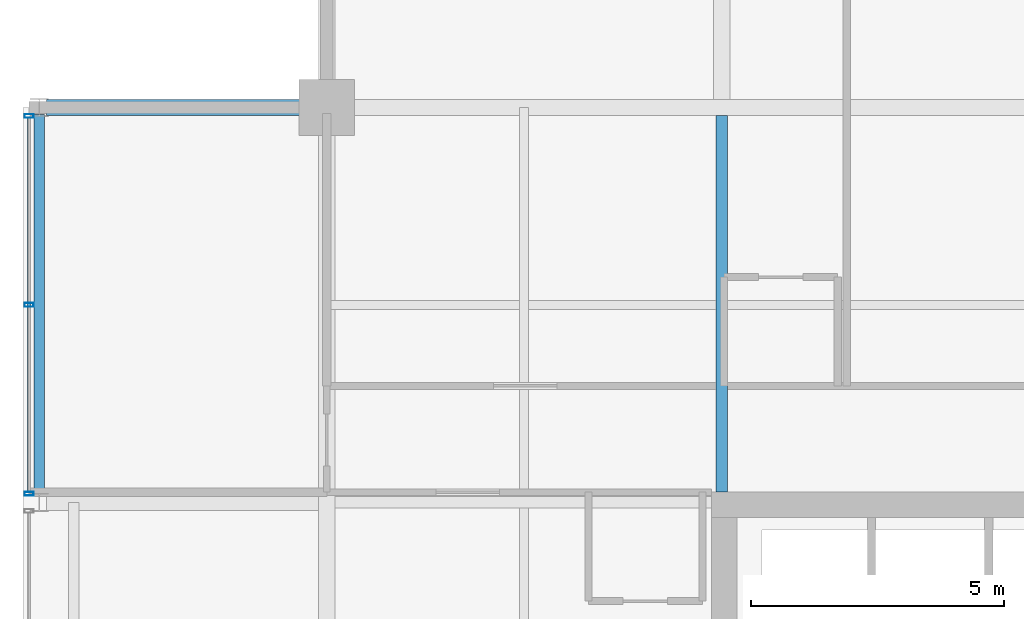
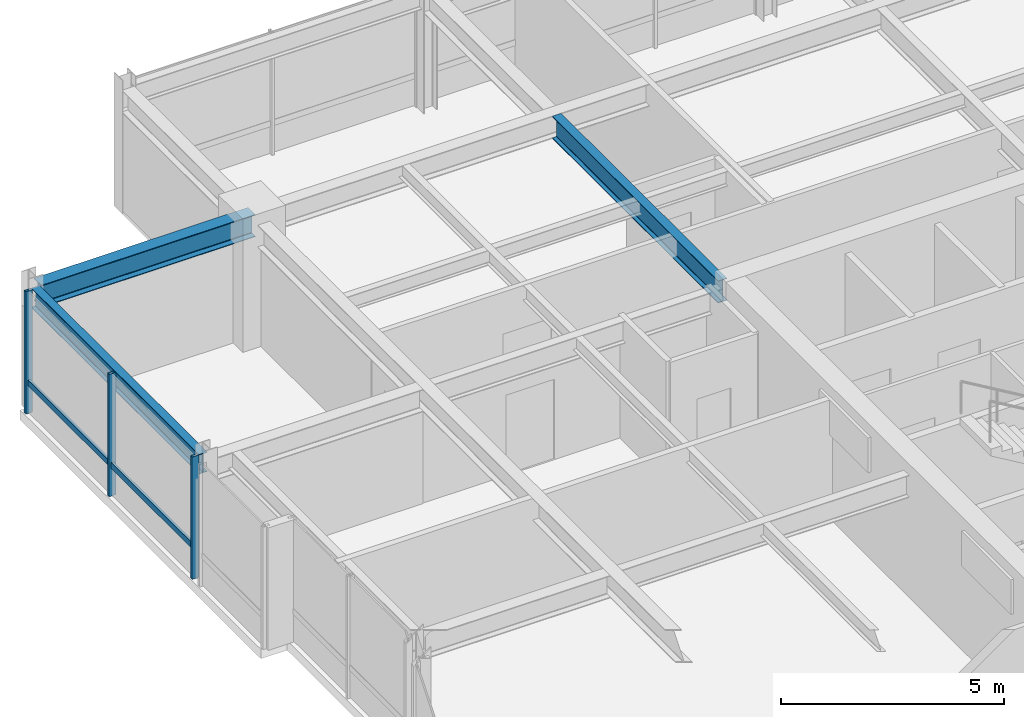
# One storey, part 20 of 34: 4 members, 3 beams, 1 element without a shape of its own.
"""IFC4 building model written with IfcOpenShell, lengths in metres."""

from ifc_helpers import new_model, si_unit, direction, frame, origin, origin_2d, place, context, subcontext, project, spatial, hollow_rectangle, i_section, extrude, material, layer, layer_set, material_profile, profile_set, type_object, element, aggregate, save


model = new_model("IFC4")

# Units and contexts
model_context = context("Model", 3, precision=1e-05, world=origin(), true_north=direction((0.0, 1.0)))
body_context = subcontext(model_context, "Body", "Model", "MODEL_VIEW")
ifc_project = project(units=[si_unit("LENGTHUNIT", "METRE"), si_unit("AREAUNIT", "SQUARE_METRE"), si_unit("VOLUMEUNIT", "CUBIC_METRE"), si_unit("PLANEANGLEUNIT", "RADIAN"), si_unit("MASSUNIT", "GRAM", prefix="KILO")], contexts=[model_context])

# Site, building, storey
site_placement = place(None, origin())
site = spatial("IfcSite", under=ifc_project, at=site_placement, CompositionType="ELEMENT")
building_placement = place(site_placement, origin())
building = spatial("IfcBuilding", under=site, at=building_placement, Name="Drelvath Grand Hotel", CompositionType="ELEMENT")
storey_placement = place(building_placement, frame((0.0, 0.0, 290.550048828125)))
storey = spatial("IfcBuildingStorey", under=building, at=storey_placement, Name="L76", CompositionType="ELEMENT", Elevation=290.550048828125)

# Curtain wall, members
ifc_material_1 = material(Name="Platinum-Mist Anodised Aluminium Frame", Category="aluminium")
ifc_layer = layer(ifc_material_1, 0.199951171875)
ifc_layer_set = layer_set([ifc_layer], Name="Platinum-Mist Anodised Aluminium Frame")
curtain_wall_type = type_object("IfcCurtainWallType", Name="Stick Curtain Wall CW-05 Platinum Mist High-Rise", PredefinedType="NOTDEFINED", material=ifc_layer_set)
curtain_wall_placement = place(storey_placement, origin())
curtain_wall = element("IfcCurtainWall", 1, at=curtain_wall_placement, inside=storey, type_object=curtain_wall_type, Name="L76 CW-05 Curtain Wall CW05-L76-WN2", PredefinedType="NOTDEFINED")
ifc_material_profile_1 = material_profile(ifc_material_1, hollow_rectangle(XDim=0.06494140625, YDim=0.159912109375, WallThickness=0.00390625, at=origin_2d()), Name="HSS160X65X4")
ifc_profile_set_1 = profile_set([ifc_material_profile_1], Name="Platinum-Mist Anodised Aluminium Frame")
member_type_1 = type_object("IfcMemberType", Name="Curtain Wall Horizontal Transom CW-05 HSS160X65X4", PredefinedType="USERDEFINED", material=ifc_profile_set_1)
member_1_placement = place(storey_placement, frame((-22.080078125, 35.610107421875, 0.83740234375), z_axis=(0.0, 1.0, 0.0), x_axis=(-1.0, 0.0, 0.0)))
member_1 = element("IfcMember", 2, at=member_1_placement, type_object=member_type_1, Name="CW05-L76-WN2 Sill Transom", ObjectType="TRANSOM", PredefinedType="USERDEFINED", context=body_context, shape_type="SweptSolid", body=[
    extrude(hollow_rectangle(XDim=0.06494140625, YDim=0.159912109375, WallThickness=0.00390625, at=origin_2d()), origin(), (0.0, 0.0, 1.0), 7.3798828125),
])
ifc_material_profile_2 = material_profile(ifc_material_1, hollow_rectangle(XDim=0.074951171875, YDim=0.179931640625, WallThickness=0.0048828125, at=origin_2d()), Name="HSS180X75X5")
ifc_profile_set_2 = profile_set([ifc_material_profile_2], Name="Platinum-Mist Anodised Aluminium Frame")
member_type_2 = type_object("IfcMemberType", Name="Curtain Wall Vertical Mullion CW-05 HSS180X75X5", PredefinedType="MULLION", material=ifc_profile_set_2)
member_2_placement = place(storey_placement, frame((-22.080078125, 35.570068359375, 0.0), z_axis=(0.0, 0.0, 1.0), x_axis=(0.0, 1.0, 0.0)))
member_2 = element("IfcMember", 3, at=member_2_placement, type_object=member_type_2, Name="CW05-L76-WN2 Mullion 1", PredefinedType="MULLION", context=body_context, shape_type="SweptSolid", body=[
    extrude(hollow_rectangle(XDim=0.074951171875, YDim=0.179931640625, WallThickness=0.0048828125, at=origin_2d()), origin(), (0.0, 0.0, 1.0), 3.349853515625),
])
member_3_placement = place(storey_placement, frame((-22.080078125, 39.300048828125, 0.0), z_axis=(0.0, 0.0, 1.0), x_axis=(0.0, 1.0, 0.0)))
member_3 = element("IfcMember", 4, at=member_3_placement, type_object=member_type_2, Name="CW05-L76-WN2 Mullion 2", PredefinedType="MULLION", context=body_context, shape_type="SweptSolid", body=[
    extrude(hollow_rectangle(XDim=0.074951171875, YDim=0.179931640625, WallThickness=0.0048828125, at=origin_2d()), origin(), (0.0, 0.0, 1.0), 3.349853515625),
])
member_4_placement = place(storey_placement, frame((-22.080078125, 43.030029296875, 0.0), z_axis=(0.0, 0.0, 1.0), x_axis=(0.0, 1.0, 0.0)))
member_4 = element("IfcMember", 5, at=member_4_placement, type_object=member_type_2, Name="CW05-L76-WN2 Mullion 3", PredefinedType="MULLION", context=body_context, shape_type="SweptSolid", body=[
    extrude(hollow_rectangle(XDim=0.074951171875, YDim=0.179931640625, WallThickness=0.0048828125, at=origin_2d()), origin(), (0.0, 0.0, 1.0), 3.349853515625),
])
aggregate(curtain_wall, [member_2, member_3, member_4, member_1])

# Beams
ifc_material_2 = material(Name="Steel ASTM A992 Gr 50", Category="steel")
ifc_material_profile_3 = material_profile(ifc_material_2, i_section(OverallWidth=0.210205078125, OverallDepth=0.53662109375, WebThickness=0.010986328125, FlangeThickness=0.017333984375, FilletRadius=0.01806640625, at=origin_2d()), Name="W21X68")
ifc_profile_set_3 = profile_set([ifc_material_profile_3], Name="Steel ASTM A992 Gr 50")
beam_type_1 = type_object("IfcBeamType", Name="Perimeter Spandrel Beam W21X68", PredefinedType="SPANDREL", material=ifc_profile_set_3)
beam_1_placement = place(storey_placement, frame((-21.8798828125, 35.5400390625, 3.08154296875), z_axis=(0.0, 1.0, 0.0), x_axis=(-1.0, 0.0, 0.0)))
element("IfcBeam", 6, at=beam_1_placement, inside=storey, type_object=beam_type_1, Name="L76 Spandrel West N", PredefinedType="SPANDREL", context=body_context, shape_type="SweptSolid", body=[
    extrude(i_section(OverallWidth=0.210205078125, OverallDepth=0.53662109375, WebThickness=0.010986328125, FlangeThickness=0.017333984375, FilletRadius=0.01806640625, at=origin_2d()), origin(), (0.0, 0.0, 1.0), 7.52001953125),
])
ifc_material_profile_4 = material_profile(ifc_material_2, i_section(OverallWidth=0.323974609375, OverallDepth=0.611083984375, WebThickness=0.0126953125, FlangeThickness=0.01904296875, FilletRadius=0.02197265625, at=origin_2d()), Name="W24X104")
ifc_profile_set_4 = profile_set([ifc_material_profile_4], Name="Steel ASTM A992 Gr 50")
beam_type_2 = type_object("IfcBeamType", Name="Primary Floor Girder W24X104", PredefinedType="BEAM", material=ifc_profile_set_4)
beam_2_placement = place(storey_placement, frame((-21.739990234375, 43.199951171875, 3.04443359375), z_axis=(1.0, 0.0, 0.0), x_axis=(0.0, 1.0, 0.0)))
element("IfcBeam", 7, at=beam_2_placement, inside=storey, type_object=beam_type_2, Name="L76 West Grid Girder G", PredefinedType="BEAM", context=body_context, shape_type="SweptSolid", body=[
    extrude(i_section(OverallWidth=0.323974609375, OverallDepth=0.611083984375, WebThickness=0.0126953125, FlangeThickness=0.01904296875, FilletRadius=0.02197265625, at=origin_2d()), origin(), (0.0, 0.0, 1.0), 5.5400390625),
])
ifc_material_profile_5 = material_profile(ifc_material_2, i_section(OverallWidth=0.228271484375, OverallDepth=0.607666015625, WebThickness=0.01123046875, FlangeThickness=0.017333984375, FilletRadius=0.02001953125, at=origin_2d()), Name="W24X76")
ifc_profile_set_5 = profile_set([ifc_material_profile_5], Name="Steel ASTM A992 Gr 50")
beam_type_3 = type_object("IfcBeamType", Name="Primary Floor Girder W24X76", PredefinedType="BEAM", material=ifc_profile_set_5)
beam_3_placement = place(storey_placement, frame((-8.39990234375, 35.60009765625, 3.046142578125), z_axis=(0.0, 1.0, 0.0), x_axis=(-1.0, 0.0, 0.0)))
element("IfcBeam", 8, at=beam_3_placement, inside=storey, type_object=beam_type_3, Name="L76 North Core Tie 4", PredefinedType="BEAM", context=body_context, shape_type="SweptSolid", body=[
    extrude(i_section(OverallWidth=0.228271484375, OverallDepth=0.607666015625, WebThickness=0.01123046875, FlangeThickness=0.017333984375, FilletRadius=0.02001953125, at=origin_2d()), origin(), (0.0, 0.0, 1.0), 7.43798828125),
])

save(model, "model.ifc")
